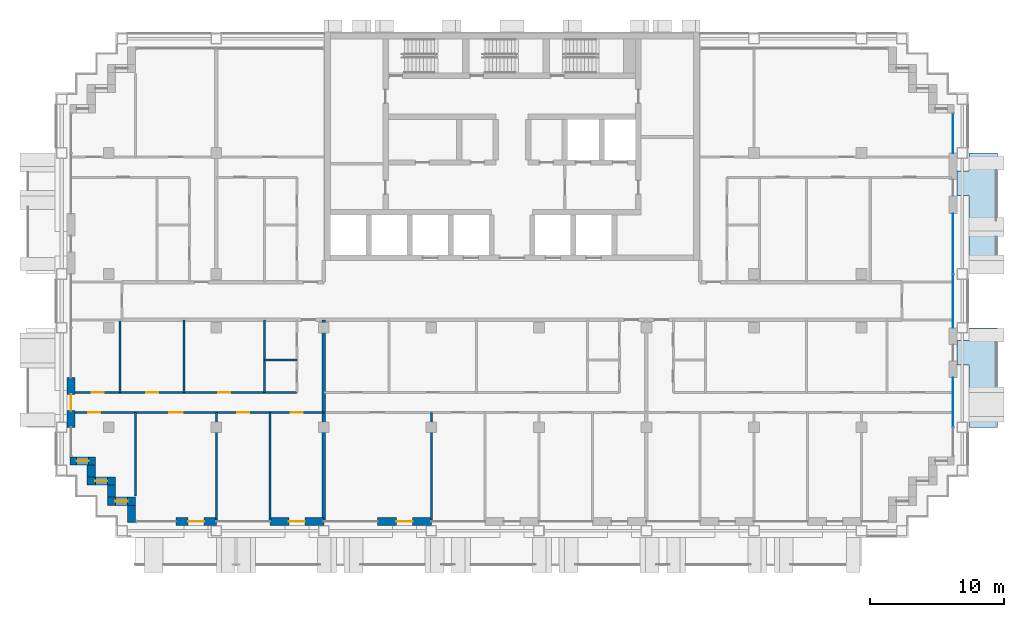
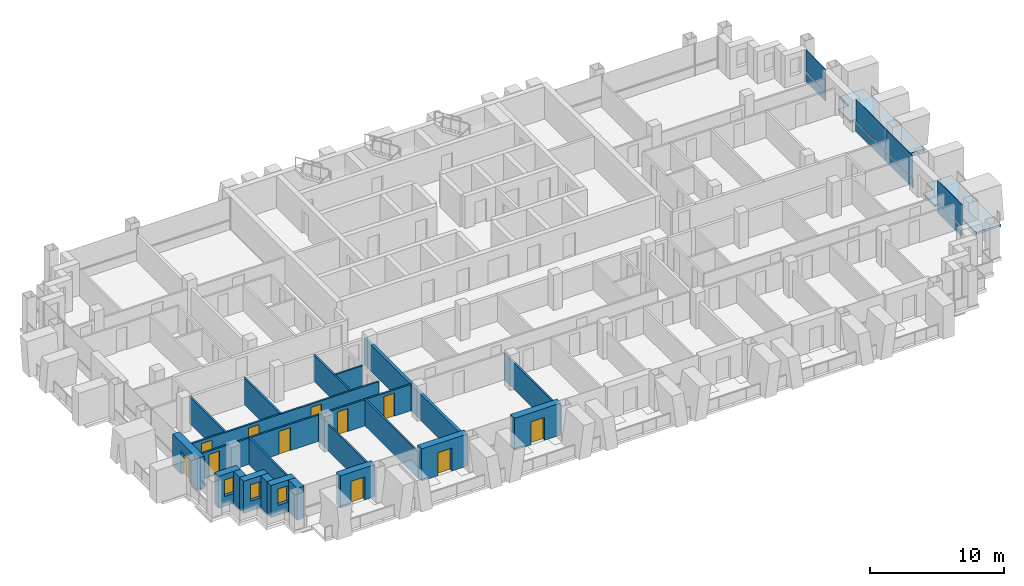
# One storey, part 7 of 18: 21 walls, 11 doors, 8 plates, 3 windows, 2 slabs, 14 openings, 3 elements without a shape of their own.
"""IFC4 building model written with IfcOpenShell, lengths in metres."""

import ifcopenshell
import ifcopenshell.guid

model = None  # the IFC model being written
_history = None  # IfcOwnerHistory: only IFC2X3 demands one
_inside = {}  # id of a spatial element -> (the spatial element, [elements in it])
_under = {}  # id of a project, library or spatial element -> (it, [spatial elements below it])
_declared = {}  # id of a project -> (the project, [libraries it declares])
_typed = {}  # id of a type object -> (the type object, [elements of that type])
_made_of = {}  # id of a material, layer set ... -> (it, [elements and type objects made of it])


def new_model(schema):
    """Start an empty IFC model of exactly this schema.

    Asked for "IFC4X3", IfcOpenShell would pick the latest addendum, in which some entities
    have other attributes; the version numbers below select the first issue.
    IFC2X3 requires an IfcOwnerHistory on every rooted entity: one is made here for all.
    """
    global model, _history
    if schema == "IFC4X3":
        model = ifcopenshell.file(schema_version=(4, 3, 0, 0))
    else:
        model = ifcopenshell.file(schema=schema)
    _inside.clear()
    _under.clear()
    _declared.clear()
    _typed.clear()
    _made_of.clear()
    _history = None
    if model.schema == "IFC2X3":
        org = make("IfcOrganization", Name="unknown")
        user = make(
            "IfcPersonAndOrganization",
            ThePerson=make("IfcPerson", FamilyName="unknown"),
            TheOrganization=org,
        )
        app = make(
            "IfcApplication",
            ApplicationDeveloper=org,
            Version="unknown",
            ApplicationFullName="unknown",
            ApplicationIdentifier="unknown",
        )
        _history = make(
            "IfcOwnerHistory",
            OwningUser=user,
            OwningApplication=app,
            ChangeAction="ADDED",
            CreationDate=0,
        )
    return model


def make(cls, **values):
    """One entity of the class cls with the attributes given. An attribute that is None is left unset."""
    return model.create_entity(
        cls, **{name: value for name, value in values.items() if value is not None}
    )


def rooted(cls, **values):
    """An entity with a GlobalId (a new one), such as an element, a storey or a relation."""
    return make(cls, GlobalId=ifcopenshell.guid.new(), OwnerHistory=_history, **values)


def si_unit(unit_type, name, prefix=None):
    """IfcSIUnit, for example si_unit("LENGTHUNIT", "METRE", prefix="MILLI")."""
    return make("IfcSIUnit", UnitType=unit_type, Prefix=prefix, Name=name)


def assignment(units):
    """IfcUnitAssignment: the units of a project."""
    return None if units is None else make("IfcUnitAssignment", Units=units)


def point(xyz):
    """IfcCartesianPoint."""
    return None if xyz is None else make("IfcCartesianPoint", Coordinates=xyz)


def direction(xyz):
    """IfcDirection."""
    return None if xyz is None else make("IfcDirection", DirectionRatios=xyz)


def frame(location, z_axis=None, x_axis=None):
    """IfcAxis2Placement3D, a coordinate frame: its origin and axes. An axis left out is left unset."""
    return make(
        "IfcAxis2Placement3D",
        Location=point(location),
        Axis=direction(z_axis),
        RefDirection=direction(x_axis),
    )


def frame_2d(location, x_axis=None):
    """IfcAxis2Placement2D, a coordinate frame in the plane: its origin and x axis."""
    return make(
        "IfcAxis2Placement2D", Location=point(location), RefDirection=direction(x_axis)
    )


def origin():
    """The frame at (0, 0, 0) with its axes left unset."""
    return frame((0.0, 0.0, 0.0))


def origin_2d():
    """The frame at (0, 0) in the plane with its x axis left unset."""
    return frame_2d((0.0, 0.0))


def place(relative_to, where):
    """IfcLocalPlacement: puts the frame where relative to a parent placement (None: the world)."""
    return make(
        "IfcLocalPlacement", PlacementRelTo=relative_to, RelativePlacement=where
    )


def context(
    kind, dimensions, precision=None, world=None, true_north=None, identifier=None
):
    """IfcGeometricRepresentationContext, for example the 3D "Model" context."""
    return make(
        "IfcGeometricRepresentationContext",
        ContextIdentifier=identifier,
        ContextType=kind,
        CoordinateSpaceDimension=dimensions,
        Precision=precision,
        WorldCoordinateSystem=world,
        TrueNorth=true_north,
    )


def subcontext(parent, identifier, kind, view, scale=None):
    """IfcGeometricRepresentationSubContext, for example "Body" below "Model"."""
    return make(
        "IfcGeometricRepresentationSubContext",
        ContextIdentifier=identifier,
        ContextType=kind,
        ParentContext=parent,
        TargetScale=scale,
        TargetView=view,
    )


def project(units=None, contexts=None):
    """IfcProject with its units and contexts."""
    return rooted(
        "IfcProject",
        Name="project",
        RepresentationContexts=contexts,
        UnitsInContext=assignment(units),
    )


def spatial(cls, under=None, at=None, **own):
    """A site, building, storey or space (cls), placed at a placement, below another one or the project."""
    s = rooted(cls, ObjectPlacement=at, **own)
    if under is not None:
        _under.setdefault(under.id(), (under, []))[1].append(s)
    return s


def polyline(points):
    """IfcPolyline through the points."""
    return make("IfcPolyline", Points=[point(p) for p in points])


def profile(cls, at=None, kind="AREA", **sizes):
    """A parametric profile (cls). Its sizes go by their IFC names, for example OverallWidth=200.0."""
    return make(cls, ProfileType=kind, Position=at, **sizes)


def rectangle(**sizes):
    """IfcRectangleProfileDef."""
    return profile("IfcRectangleProfileDef", **sizes)


def outline(outer, holes=None, kind="AREA"):
    """IfcArbitraryClosedProfileDef: a profile drawn as a closed curve; with holes, ...WithVoids."""
    if holes is None:
        return make("IfcArbitraryClosedProfileDef", ProfileType=kind, OuterCurve=outer)
    return make(
        "IfcArbitraryProfileDefWithVoids",
        ProfileType=kind,
        OuterCurve=outer,
        InnerCurves=holes,
    )


def extrude(swept, where, along, depth):
    """IfcExtrudedAreaSolid: the profile swept, set in the frame where, extruded along a direction by depth."""
    return make(
        "IfcExtrudedAreaSolid",
        SweptArea=swept,
        Position=where,
        ExtrudedDirection=direction(along),
        Depth=depth,
    )


def shape(context_of_items, identifier, shape_type, items):
    """IfcShapeRepresentation: the items that make up one representation, for example the "Body"."""
    return make(
        "IfcShapeRepresentation",
        ContextOfItems=context_of_items,
        RepresentationIdentifier=identifier,
        RepresentationType=shape_type,
        Items=items,
    )


def material(Name=None, Category=None):
    """IfcMaterial."""
    return make("IfcMaterial", Name=Name, Category=Category)


def layer(
    of_material, thickness, ventilated=None, Name=None, Category=None, Priority=None
):
    """IfcMaterialLayer: one layer of a wall or slab, of a material (None: an air gap)."""
    return make(
        "IfcMaterialLayer",
        Material=of_material,
        LayerThickness=thickness,
        IsVentilated=ventilated,
        Name=Name,
        Category=Category,
        Priority=Priority,
    )


def layer_set(layers, Name=None):
    """IfcMaterialLayerSet."""
    return make("IfcMaterialLayerSet", MaterialLayers=layers, LayerSetName=Name)


def made_of(thing, what):
    """Note that an element or type object is made of a material, layer set ...; save() writes the relation."""
    if what is not None:
        _made_of.setdefault(what.id(), (what, []))[1].append(thing)
    return thing


def type_object(cls, material=None, **own):
    """A type object (cls), such as IfcWallType, which elements share."""
    return made_of(rooted(cls, **own), material)


def element(
    cls,
    number,
    at=None,
    inside=None,
    cuts=None,
    type_object=None,
    material=None,
    context=None,
    identifier="Body",
    shape_type=None,
    held_by="IfcProductDefinitionShape",
    body=None,
    shapes=None,
    **own,
):
    """One element of the class cls, such as IfcWall. Its Tag is "e" and its number.

    at: its placement. inside: the storey or other place that contains it. cuts: it is an
    opening in that element (IfcRelVoidsElement). A single representation is given by context,
    identifier, shape_type and body (its items); several are given by shapes. held_by: the class
    of the entity that holds the representations. save() writes the other relations.
    """
    e = rooted(cls, Tag="e%d" % number, ObjectPlacement=at, **own)
    if body is not None:
        shapes = [shape(context, identifier, shape_type, body)]
    if shapes is not None:
        e.Representation = make(held_by, Representations=shapes)
    if inside is not None:
        _inside.setdefault(inside.id(), (inside, []))[1].append(e)
    if cuts is not None:
        rooted(
            "IfcRelVoidsElement", RelatingBuildingElement=cuts, RelatedOpeningElement=e
        )
    if type_object is not None:
        _typed.setdefault(type_object.id(), (type_object, []))[1].append(e)
    return made_of(e, material)


def fill(opening, filler):
    """IfcRelFillsElement: the door or window that sits in an opening."""
    return rooted(
        "IfcRelFillsElement",
        RelatingOpeningElement=opening,
        RelatedBuildingElement=filler,
    )


def aggregate(whole, parts):
    """IfcRelAggregates: a whole, such as a stair, and the parts it consists of."""
    return rooted("IfcRelAggregates", RelatingObject=whole, RelatedObjects=parts)


def save(model, path):
    """Write the relations noted so far, then the file.

    IfcRelAggregates (storeys below a building ...), IfcRelContainedInSpatialStructure (elements
    in a storey), IfcRelDefinesByType, IfcRelAssociatesMaterial and IfcRelDeclares: one each for
    every whole, place, type object, material and project.
    """
    for whole, parts in _under.values():
        aggregate(whole, parts)
    for where, things in _inside.values():
        rooted(
            "IfcRelContainedInSpatialStructure",
            RelatedElements=things,
            RelatingStructure=where,
        )
    for kind, things in _typed.values():
        rooted("IfcRelDefinesByType", RelatedObjects=things, RelatingType=kind)
    for what, things in _made_of.values():
        rooted("IfcRelAssociatesMaterial", RelatedObjects=things, RelatingMaterial=what)
    for by, libraries in _declared.values():
        rooted("IfcRelDeclares", RelatingContext=by, RelatedDefinitions=libraries)
    model.write(path)


model = new_model("IFC4")

# Units and contexts
model_context = context("Model", 3, precision=1e-05, world=origin(), true_north=direction((0.0, 1.0)))
body_context = subcontext(model_context, "Body", "Model", "MODEL_VIEW")
ifc_project = project(units=[si_unit("LENGTHUNIT", "METRE"), si_unit("AREAUNIT", "SQUARE_METRE"), si_unit("VOLUMEUNIT", "CUBIC_METRE"), si_unit("PLANEANGLEUNIT", "RADIAN"), si_unit("MASSUNIT", "GRAM", prefix="KILO")], contexts=[model_context])

# Site, building, storey
site_placement = place(None, origin())
site = spatial("IfcSite", under=ifc_project, at=site_placement, CompositionType="ELEMENT")
building_placement = place(site_placement, origin())
building = spatial("IfcBuilding", under=site, at=building_placement, Name="Vidyagriha Tower", CompositionType="ELEMENT")
storey_placement = place(building_placement, frame((0.0, 0.0, 142.199951171875)))
storey = spatial("IfcBuildingStorey", under=building, at=storey_placement, Name="L37", CompositionType="ELEMENT", Elevation=142.199951171875)

# Curtain wall, plate
ifc_material_1 = material(Name="Aluminium and glass curtain wall", Category="aluminium")
curtain_wall_type = type_object("IfcCurtainWallType", Name="Dwelling skin unitised curtain wall", PredefinedType="USERDEFINED", material=ifc_material_1)
curtain_wall_1_placement = place(storey_placement, origin())
curtain_wall_1 = element("IfcCurtainWall", 1, at=curtain_wall_1_placement, inside=storey, type_object=curtain_wall_type, Name="CW1 dwelling skin", ObjectType="UNITISED", PredefinedType="USERDEFINED")
ifc_material_2 = material(Name="Glass dark ceramic-fritted spandrel", Category="glass")
ifc_layer_1 = layer(ifc_material_2, 0.0400390625)
ifc_layer_set_1 = layer_set([ifc_layer_1], Name="Glass dark ceramic-fritted spandrel")
plate_type_1 = type_object("IfcPlateType", Name="Ceramic-fritted spandrel panel", PredefinedType="CURTAIN_PANEL", material=ifc_layer_set_1)
plate_1_placement = place(storey_placement, frame((32.800048828125, -7.532470703125, 0.0), z_axis=(0.0, 0.0, 1.0), x_axis=(0.0, 1.0, 0.0)))
plate_1 = element("IfcPlate", 2, at=plate_1_placement, type_object=plate_type_1, Name="CW1 panel 2.1", PredefinedType="CURTAIN_PANEL", context=body_context, shape_type="SweptSolid", body=[
    extrude(rectangle(XDim=3.6650390625, YDim=0.0400390625, at=origin_2d()), origin(), (0.0, 0.0, 1.0), 0.85009765625),
])

curtain_wall_2_placement = place(storey_placement, origin())
curtain_wall_2 = element("IfcCurtainWall", 3, at=curtain_wall_2_placement, inside=storey, type_object=curtain_wall_type, Name="CW1 dwelling skin", ObjectType="UNITISED", PredefinedType="USERDEFINED")
plate_2_placement = place(storey_placement, frame((32.800048828125, 12.465087890625, 0.0), z_axis=(0.0, 0.0, 1.0), x_axis=(0.0, 1.0, 0.0)))
plate_2 = element("IfcPlate", 4, at=plate_2_placement, type_object=plate_type_1, Name="CW1 panel 1.1", PredefinedType="CURTAIN_PANEL", context=body_context, shape_type="SweptSolid", body=[
    extrude(rectangle(XDim=2.929931640625, YDim=0.0400390625, at=origin_2d()), origin(), (0.0, 0.0, 1.0), 0.85009765625),
])

# Plate
ifc_material_3 = material(Name="Glass dark ceramic-fritted", Category="glass")
ifc_layer_2 = layer(ifc_material_3, 0.028076171875)
ifc_layer_set_2 = layer_set([ifc_layer_2], Name="Glass dark ceramic-fritted")
plate_type_2 = type_object("IfcPlateType", Name="Dark ceramic-fritted vision glass panel", PredefinedType="CURTAIN_PANEL", material=ifc_layer_set_2)
plate_3_placement = place(storey_placement, frame((32.800048828125, -7.532470703125, 0.9501953125), z_axis=(0.0, 0.0, 1.0), x_axis=(0.0, 1.0, 0.0)))
plate_3 = element("IfcPlate", 5, at=plate_3_placement, type_object=plate_type_2, Name="CW1 panel 2.2", PredefinedType="CURTAIN_PANEL", context=body_context, shape_type="SweptSolid", body=[
    extrude(rectangle(XDim=3.6650390625, YDim=0.028076171875, at=origin_2d()), origin(), (0.0, 0.0, 1.0), 1.969970703125),
])

aggregate(curtain_wall_1, [plate_1, plate_3])

# Curtain wall, plates
curtain_wall_3_placement = place(storey_placement, origin())
curtain_wall_3 = element("IfcCurtainWall", 6, at=curtain_wall_3_placement, inside=storey, type_object=curtain_wall_type, Name="CW1 dwelling skin", ObjectType="UNITISED", PredefinedType="USERDEFINED")
plate_4_placement = place(storey_placement, frame((32.800048828125, -0.017578125, 0.9501953125), z_axis=(0.0, 0.0, 1.0), x_axis=(0.0, 1.0, 0.0)))
plate_4 = element("IfcPlate", 7, at=plate_4_placement, type_object=plate_type_2, Name="CW1 panel 1.2", PredefinedType="CURTAIN_PANEL", context=body_context, shape_type="SweptSolid", body=[
    extrude(rectangle(XDim=3.965087890625, YDim=0.028076171875, at=origin_2d()), origin(), (0.0, 0.0, 1.0), 1.969970703125),
])
plate_5_placement = place(storey_placement, frame((32.800048828125, 4.267578125, 0.9501953125), z_axis=(0.0, 0.0, 1.0), x_axis=(0.0, 1.0, 0.0)))
plate_5 = element("IfcPlate", 8, at=plate_5_placement, type_object=plate_type_2, Name="CW1 panel 2.2", PredefinedType="CURTAIN_PANEL", context=body_context, shape_type="SweptSolid", body=[
    extrude(rectangle(XDim=4.465087890625, YDim=0.028076171875, at=origin_2d()), origin(), (0.0, 0.0, 1.0), 1.969970703125),
])

# Plate
plate_6_placement = place(storey_placement, frame((32.800048828125, 12.465087890625, 0.9501953125), z_axis=(0.0, 0.0, 1.0), x_axis=(0.0, 1.0, 0.0)))
plate_6 = element("IfcPlate", 9, at=plate_6_placement, type_object=plate_type_2, Name="CW1 panel 1.2", PredefinedType="CURTAIN_PANEL", context=body_context, shape_type="SweptSolid", body=[
    extrude(rectangle(XDim=2.929931640625, YDim=0.028076171875, at=origin_2d()), origin(), (0.0, 0.0, 1.0), 1.969970703125),
])

aggregate(curtain_wall_2, [plate_2, plate_6])

ifc_material_4 = material(Name="Aluminium black anodised", Category="aluminium")
ifc_layer_3 = layer(ifc_material_4, 0.06005859375)
ifc_layer_set_3 = layer_set([ifc_layer_3], Name="Aluminium black anodised")
plate_type_3 = type_object("IfcPlateType", Name="Operable black-metal vent panel", PredefinedType="CURTAIN_PANEL", material=ifc_layer_set_3)
plate_7_placement = place(storey_placement, frame((32.800048828125, -0.017578125, 0.0), z_axis=(0.0, 0.0, 1.0), x_axis=(0.0, 1.0, 0.0)))
plate_7 = element("IfcPlate", 10, at=plate_7_placement, type_object=plate_type_3, Name="CW1 panel 1.1", PredefinedType="CURTAIN_PANEL", context=body_context, shape_type="SweptSolid", body=[
    extrude(rectangle(XDim=3.965087890625, YDim=0.06005859375, at=origin_2d()), origin(), (0.0, 0.0, 1.0), 0.85009765625),
])

plate_8_placement = place(storey_placement, frame((32.800048828125, 4.267578125, 0.0), z_axis=(0.0, 0.0, 1.0), x_axis=(0.0, 1.0, 0.0)))
plate_8 = element("IfcPlate", 11, at=plate_8_placement, type_object=plate_type_3, Name="CW1 panel 2.1", PredefinedType="CURTAIN_PANEL", context=body_context, shape_type="SweptSolid", body=[
    extrude(rectangle(XDim=4.465087890625, YDim=0.06005859375, at=origin_2d()), origin(), (0.0, 0.0, 1.0), 0.85009765625),
])

aggregate(curtain_wall_3, [plate_7, plate_4, plate_8, plate_5])

# Slabs
ifc_material_5 = material(Name="Precast concrete C40/50", Category="concrete")
ifc_layer_4 = layer(ifc_material_5, 0.199951171875)
ifc_layer_set_4 = layer_set([ifc_layer_4], Name="Precast concrete C40/50")
slab_type = type_object("IfcSlabType", Name="Precast balcony slab 200", PredefinedType="USERDEFINED", material=ifc_layer_set_4)
slab_1_placement = place(storey_placement, frame((0.0, 0.0, -0.199951171875)))
element("IfcSlab", 12, at=slab_1_placement, inside=storey, type_object=slab_type, Name="Balcony slab L37 R30.1-1", ObjectType="BALCONY", PredefinedType="USERDEFINED", context=body_context, shape_type="SweptSolid", body=[
    extrude(outline(polyline([(34.0, -4.75), (34.0, -9.39990234375), (36.10009765625, -9.39990234375), (36.10009765625, -2.0), (34.0, -2.0), (34.0, -2.949951171875), (33.10009765625, -2.949951171875), (33.10009765625, -4.75), (34.0, -4.75)])), origin(), (0.0, 0.0, 1.0), 0.199951171875),
])
slab_2_placement = place(storey_placement, frame((0.0, 0.0, -0.199951171875)))
element("IfcSlab", 13, at=slab_2_placement, inside=storey, type_object=slab_type, Name="Balcony slab L37 R30.2-2", ObjectType="BALCONY", PredefinedType="USERDEFINED", context=body_context, shape_type="SweptSolid", body=[
    extrude(outline(polyline([(34.0, 7.85009765625), (34.0, 2.0), (36.10009765625, 2.0), (36.10009765625, 11.0), (34.0, 11.0), (34.0, 9.64990234375), (33.10009765625, 9.64990234375), (33.10009765625, 7.85009765625), (34.0, 7.85009765625)])), origin(), (0.0, 0.0, 1.0), 0.199951171875),
])

# Wall, opening, door
ifc_material_6 = material(Name="Precast concrete C40/50 with brick facing", Category="concrete")
ifc_layer_5 = layer(ifc_material_6, 0.60009765625)
ifc_layer_set_5 = layer_set([ifc_layer_5], Name="Precast concrete C40/50 with brick facing")
wall_type_1 = type_object("IfcWallType", Name="Brick-faced precast wall 600", PredefinedType="STANDARD", material=ifc_layer_set_5)
wall_1_placement = place(storey_placement, frame((-32.800048828125, -5.699951171875, 0.0), z_axis=(0.0, 0.0, 1.0), x_axis=(0.0, -1.0, 0.0)))
wall_1 = element("IfcWall", 14, at=wall_1_placement, inside=storey, type_object=wall_type_1, Name="Brick door bay wall L37 R16.6", PredefinedType="STANDARD", context=body_context, shape_type="SweptSolid", body=[
    extrude(rectangle(XDim=3.699951171875, YDim=0.60009765625, at=frame_2d((1.85009765625, 0.0))), origin(), (0.0, 0.0, 1.0), 2.920166015625),
])
opening_1_placement = place(wall_1_placement, frame((1.25, 0.0, 0.0)))
opening_1 = element("IfcOpeningElement", 15, at=opening_1_placement, cuts=wall_1, Name="Opening D37-67", PredefinedType="OPENING", context=body_context, shape_type="SweptSolid", body=[
    extrude(rectangle(XDim=1.199951171875, YDim=2.10009765625, at=frame_2d((0.60009765625, 1.050048828125))), frame((0.0, 0.31005859375, 0.0), z_axis=(0.0, -1.0, 0.0), x_axis=(1.0, 0.0, 0.0)), (0.0, 0.0, 1.0), 0.6201171875),
])
ifc_material_7 = material(Name="Aluminium framed glazed sliding door", Category="aluminium")
door_type_1 = type_object("IfcDoorType", Name="Balcony sliding door 1200x2100", OperationType="NOTDEFINED", PredefinedType="DOOR", material=ifc_material_7)
door_1_placement = place(opening_1_placement, origin())
door_1 = element("IfcDoor", 16, at=door_1_placement, inside=storey, type_object=door_type_1, Name="Door D37-67", OperationType="SLIDING_TO_LEFT", OverallHeight=2.10009765625, OverallWidth=1.199951171875, PredefinedType="DOOR", context=body_context, shape_type="SweptSolid", body=[
    extrude(rectangle(XDim=1.199951171875, YDim=2.10009765625, at=frame_2d((0.60009765625, 1.050048828125))), frame((0.0, 0.02490234375, 0.0), z_axis=(0.0, -1.0, 0.0), x_axis=(1.0, 0.0, 0.0)), (0.0, 0.0, 1.0), 0.050048828125),
])
fill(opening_1, door_1)

# Wall, opening, window
wall_2_placement = place(storey_placement, frame((-32.8798828125, -11.89990234375, 0.0)))
wall_2 = element("IfcWall", 17, at=wall_2_placement, inside=storey, type_object=wall_type_1, Name="Stepped corner wall L37 R17", PredefinedType="STANDARD", context=body_context, shape_type="SweptSolid", body=[
    extrude(rectangle(XDim=1.8798828125, YDim=0.60009765625, at=frame_2d((0.93994140625, 0.0))), origin(), (0.0, 0.0, 1.0), 2.920166015625),
])
opening_2_placement = place(wall_2_placement, frame((0.489990234375, 0.0, 0.89990234375)))
opening_2 = element("IfcOpeningElement", 18, at=opening_2_placement, cuts=wall_2, Name="Opening WN1", PredefinedType="OPENING", context=body_context, shape_type="SweptSolid", body=[
    extrude(rectangle(XDim=0.89990234375, YDim=1.5, at=frame_2d((0.449951171875, 0.75))), frame((0.0, 0.31005859375, 0.0), z_axis=(0.0, -1.0, 0.0), x_axis=(1.0, 0.0, 0.0)), (0.0, 0.0, 1.0), 0.6201171875),
])
ifc_material_8 = material(Name="Aluminium and glass window", Category="aluminium")
window_type = type_object("IfcWindowType", Name="Reveal window 900x1500", PartitioningType="NOTDEFINED", PredefinedType="WINDOW", material=ifc_material_8)
window_1_placement = place(opening_2_placement, origin())
window_1 = element("IfcWindow", 19, at=window_1_placement, inside=storey, type_object=window_type, Name="Reveal window L37 R17", OverallHeight=1.5, OverallWidth=0.89990234375, PartitioningType="SINGLE_PANEL", PredefinedType="WINDOW", context=body_context, shape_type="SweptSolid", body=[
    extrude(rectangle(XDim=0.89990234375, YDim=1.5, at=frame_2d((0.449951171875, 0.75))), frame((0.0, 0.030029296875, 0.0), z_axis=(0.0, -1.0, 0.0), x_axis=(1.0, 0.0, 0.0)), (0.0, 0.0, 1.0), 0.06005859375),
])
fill(opening_2, window_1)

# Wall
wall_3_placement = place(storey_placement, frame((-31.300048828125, -12.199951171875, 0.0), z_axis=(0.0, 0.0, 1.0), x_axis=(0.0, -1.0, 0.0)))
element("IfcWall", 20, at=wall_3_placement, inside=storey, type_object=wall_type_1, Name="Stepped corner wall L37 R18", PredefinedType="STANDARD", context=body_context, shape_type="SweptSolid", body=[
    extrude(rectangle(XDim=0.900146484375, YDim=0.60009765625, at=frame_2d((0.4501953125, 0.0))), origin(), (0.0, 0.0, 1.0), 2.920166015625),
])

# Wall, opening, window
wall_4_placement = place(storey_placement, frame((-31.60009765625, -13.39990234375, 0.0)))
wall_4 = element("IfcWall", 21, at=wall_4_placement, inside=storey, type_object=wall_type_1, Name="Stepped corner wall L37 R19", PredefinedType="STANDARD", context=body_context, shape_type="SweptSolid", body=[
    extrude(rectangle(XDim=2.10009765625, YDim=0.60009765625, at=frame_2d((1.050048828125, 0.0))), origin(), (0.0, 0.0, 1.0), 2.920166015625),
])
opening_3_placement = place(wall_4_placement, frame((0.60009765625, 0.0, 0.89990234375)))
opening_3 = element("IfcOpeningElement", 22, at=opening_3_placement, cuts=wall_4, Name="Opening WN1", PredefinedType="OPENING", context=body_context, shape_type="SweptSolid", body=[
    extrude(rectangle(XDim=0.89990234375, YDim=1.5, at=frame_2d((0.449951171875, 0.75))), frame((0.0, 0.31005859375, 0.0), z_axis=(0.0, -1.0, 0.0), x_axis=(1.0, 0.0, 0.0)), (0.0, 0.0, 1.0), 0.6201171875),
])
window_2_placement = place(opening_3_placement, origin())
window_2 = element("IfcWindow", 23, at=window_2_placement, inside=storey, type_object=window_type, Name="Reveal window L37 R19", OverallHeight=1.5, OverallWidth=0.89990234375, PartitioningType="SINGLE_PANEL", PredefinedType="WINDOW", context=body_context, shape_type="SweptSolid", body=[
    extrude(rectangle(XDim=0.89990234375, YDim=1.5, at=frame_2d((0.449951171875, 0.75))), frame((0.0, 0.030029296875, 0.0), z_axis=(0.0, -1.0, 0.0), x_axis=(1.0, 0.0, 0.0)), (0.0, 0.0, 1.0), 0.06005859375),
])
fill(opening_3, window_2)

# Wall
wall_5_placement = place(storey_placement, frame((-29.800048828125, -13.699951171875, 0.0), z_axis=(0.0, 0.0, 1.0), x_axis=(0.0, -1.0, 0.0)))
element("IfcWall", 24, at=wall_5_placement, inside=storey, type_object=wall_type_1, Name="Stepped corner wall L37 R20", PredefinedType="STANDARD", context=body_context, shape_type="SweptSolid", body=[
    extrude(rectangle(XDim=0.900146484375, YDim=0.60009765625, at=frame_2d((0.4501953125, 0.0))), origin(), (0.0, 0.0, 1.0), 2.920166015625),
])

# Wall, opening, window
wall_6_placement = place(storey_placement, frame((-30.10009765625, -14.89990234375, 0.0)))
wall_6 = element("IfcWall", 25, at=wall_6_placement, inside=storey, type_object=wall_type_1, Name="Stepped corner wall L37 R21", PredefinedType="STANDARD", context=body_context, shape_type="SweptSolid", body=[
    extrude(rectangle(XDim=2.10009765625, YDim=0.60009765625, at=frame_2d((1.050048828125, 0.0))), origin(), (0.0, 0.0, 1.0), 2.920166015625),
])
opening_4_placement = place(wall_6_placement, frame((0.60009765625, 0.0, 0.89990234375)))
opening_4 = element("IfcOpeningElement", 26, at=opening_4_placement, cuts=wall_6, Name="Opening WN1", PredefinedType="OPENING", context=body_context, shape_type="SweptSolid", body=[
    extrude(rectangle(XDim=0.89990234375, YDim=1.5, at=frame_2d((0.449951171875, 0.75))), frame((0.0, 0.31005859375, 0.0), z_axis=(0.0, -1.0, 0.0), x_axis=(1.0, 0.0, 0.0)), (0.0, 0.0, 1.0), 0.6201171875),
])
window_3_placement = place(opening_4_placement, origin())
window_3 = element("IfcWindow", 27, at=window_3_placement, inside=storey, type_object=window_type, Name="Reveal window L37 R21", OverallHeight=1.5, OverallWidth=0.89990234375, PartitioningType="SINGLE_PANEL", PredefinedType="WINDOW", context=body_context, shape_type="SweptSolid", body=[
    extrude(rectangle(XDim=0.89990234375, YDim=1.5, at=frame_2d((0.449951171875, 0.75))), frame((0.0, 0.030029296875, 0.0), z_axis=(0.0, -1.0, 0.0), x_axis=(1.0, 0.0, 0.0)), (0.0, 0.0, 1.0), 0.06005859375),
])
fill(opening_4, window_3)

# Wall
wall_7_placement = place(storey_placement, frame((-28.300048828125, -15.199951171875, 0.0), z_axis=(0.0, 0.0, 1.0), x_axis=(0.0, -1.0, 0.0)))
element("IfcWall", 28, at=wall_7_placement, inside=storey, type_object=wall_type_1, Name="Stepped corner wall L37 R22", PredefinedType="STANDARD", context=body_context, shape_type="SweptSolid", body=[
    extrude(rectangle(XDim=1.280029296875, YDim=0.60009765625, at=frame_2d((0.64013671875, 0.0))), origin(), (0.0, 0.0, 1.0), 2.920166015625),
])

# Wall, opening, door
wall_8_placement = place(storey_placement, frame((-25.0, -16.39990234375, 0.0)))
wall_8 = element("IfcWall", 29, at=wall_8_placement, inside=storey, type_object=wall_type_1, Name="Brick door bay wall L37 R23.2", PredefinedType="STANDARD", context=body_context, shape_type="SweptSolid", body=[
    extrude(rectangle(XDim=3.0, YDim=0.60009765625, at=frame_2d((1.5, 0.0))), origin(), (0.0, 0.0, 1.0), 2.920166015625),
])
opening_5_placement = place(wall_8_placement, frame((0.89990234375, 0.0, 0.0)))
opening_5 = element("IfcOpeningElement", 30, at=opening_5_placement, cuts=wall_8, Name="Opening D37-68", PredefinedType="OPENING", context=body_context, shape_type="SweptSolid", body=[
    extrude(rectangle(XDim=1.199951171875, YDim=2.10009765625, at=frame_2d((0.60009765625, 1.050048828125))), frame((0.0, 0.31005859375, 0.0), z_axis=(0.0, -1.0, 0.0), x_axis=(1.0, 0.0, 0.0)), (0.0, 0.0, 1.0), 0.6201171875),
])
door_2_placement = place(opening_5_placement, origin())
door_2 = element("IfcDoor", 31, at=door_2_placement, inside=storey, type_object=door_type_1, Name="Door D37-68", OperationType="SLIDING_TO_LEFT", OverallHeight=2.10009765625, OverallWidth=1.199951171875, PredefinedType="DOOR", context=body_context, shape_type="SweptSolid", body=[
    extrude(rectangle(XDim=1.199951171875, YDim=2.10009765625, at=frame_2d((0.60009765625, 1.050048828125))), frame((0.0, 0.02490234375, 0.0), z_axis=(0.0, -1.0, 0.0), x_axis=(1.0, 0.0, 0.0)), (0.0, 0.0, 1.0), 0.050048828125),
])
fill(opening_5, door_2)

wall_9_placement = place(storey_placement, frame((-18.0, -16.39990234375, 0.0)))
wall_9 = element("IfcWall", 32, at=wall_9_placement, inside=storey, type_object=wall_type_1, Name="Brick door bay wall L37 R23.4", PredefinedType="STANDARD", context=body_context, shape_type="SweptSolid", body=[
    extrude(rectangle(XDim=4.0, YDim=0.60009765625, at=frame_2d((2.0, 0.0))), origin(), (0.0, 0.0, 1.0), 2.920166015625),
])
opening_6_placement = place(wall_9_placement, frame((1.39990234375, 0.0, 0.0)))
opening_6 = element("IfcOpeningElement", 33, at=opening_6_placement, cuts=wall_9, Name="Opening D37-69", PredefinedType="OPENING", context=body_context, shape_type="SweptSolid", body=[
    extrude(rectangle(XDim=1.199951171875, YDim=2.10009765625, at=frame_2d((0.60009765625, 1.050048828125))), frame((0.0, 0.31005859375, 0.0), z_axis=(0.0, -1.0, 0.0), x_axis=(1.0, 0.0, 0.0)), (0.0, 0.0, 1.0), 0.6201171875),
])
door_3_placement = place(opening_6_placement, origin())
door_3 = element("IfcDoor", 34, at=door_3_placement, inside=storey, type_object=door_type_1, Name="Door D37-69", OperationType="SLIDING_TO_LEFT", OverallHeight=2.10009765625, OverallWidth=1.199951171875, PredefinedType="DOOR", context=body_context, shape_type="SweptSolid", body=[
    extrude(rectangle(XDim=1.199951171875, YDim=2.10009765625, at=frame_2d((0.60009765625, 1.050048828125))), frame((0.0, 0.02490234375, 0.0), z_axis=(0.0, -1.0, 0.0), x_axis=(1.0, 0.0, 0.0)), (0.0, 0.0, 1.0), 0.050048828125),
])
fill(opening_6, door_3)

wall_10_placement = place(storey_placement, frame((-10.0, -16.39990234375, 0.0)))
wall_10 = element("IfcWall", 35, at=wall_10_placement, inside=storey, type_object=wall_type_1, Name="Brick door bay wall L37 R23.6", PredefinedType="STANDARD", context=body_context, shape_type="SweptSolid", body=[
    extrude(rectangle(XDim=4.0, YDim=0.60009765625, at=frame_2d((2.0, 0.0))), origin(), (0.0, 0.0, 1.0), 2.920166015625),
])
opening_7_placement = place(wall_10_placement, frame((1.39990234375, 0.0, 0.0)))
opening_7 = element("IfcOpeningElement", 36, at=opening_7_placement, cuts=wall_10, Name="Opening D37-70", PredefinedType="OPENING", context=body_context, shape_type="SweptSolid", body=[
    extrude(rectangle(XDim=1.199951171875, YDim=2.10009765625, at=frame_2d((0.60009765625, 1.050048828125))), frame((0.0, 0.31005859375, 0.0), z_axis=(0.0, -1.0, 0.0), x_axis=(1.0, 0.0, 0.0)), (0.0, 0.0, 1.0), 0.6201171875),
])
door_4_placement = place(opening_7_placement, origin())
door_4 = element("IfcDoor", 37, at=door_4_placement, inside=storey, type_object=door_type_1, Name="Door D37-70", OperationType="SLIDING_TO_LEFT", OverallHeight=2.10009765625, OverallWidth=1.199951171875, PredefinedType="DOOR", context=body_context, shape_type="SweptSolid", body=[
    extrude(rectangle(XDim=1.199951171875, YDim=2.10009765625, at=frame_2d((0.60009765625, 1.050048828125))), frame((0.0, 0.02490234375, 0.0), z_axis=(0.0, -1.0, 0.0), x_axis=(1.0, 0.0, 0.0)), (0.0, 0.0, 1.0), 0.050048828125),
])
fill(opening_7, door_4)

# Walls
ifc_material_9 = material(Name="Fired clay brick masonry", Category="masonry")
ifc_layer_6 = layer(ifc_material_9, 0.25)
ifc_layer_set_6 = layer_set([ifc_layer_6], Name="Fired clay brick masonry")
wall_type_2 = type_object("IfcWallType", Name="Fired clay brick demising wall 250", PredefinedType="PARTITIONING", material=ifc_layer_set_6)
wall_11_placement = place(storey_placement, frame((-14.0, -1.39990234375, 0.0), z_axis=(0.0, 0.0, 1.0), x_axis=(0.0, -1.0, 0.0)))
element("IfcWall", 38, at=wall_11_placement, inside=storey, type_object=wall_type_2, Name="Wall all-L37-w043", PredefinedType="PARTITIONING", context=body_context, shape_type="SweptSolid", body=[
    extrude(rectangle(XDim=14.91015625, YDim=0.25, at=frame_2d((7.455078125, 0.0))), origin(), (0.0, 0.0, 1.0), 2.400146484375),
])
ifc_material_10 = material(Name="Gypsum board partition")
ifc_layer_7 = layer(ifc_material_10, 0.14990234375)
ifc_layer_set_7 = layer_set([ifc_layer_7], Name="Gypsum board partition")
wall_type_3 = type_object("IfcWallType", Name="Gypsum board partition 150", PredefinedType="PARTITIONING", material=ifc_layer_set_7)
wall_12_placement = place(storey_placement, frame((-16.0, -4.39990234375, 0.0), z_axis=(0.0, 0.0, 1.0), x_axis=(-1.0, 0.0, 0.0)))
element("IfcWall", 39, at=wall_12_placement, inside=storey, type_object=wall_type_3, Name="Wall all-L37-w004", PredefinedType="PARTITIONING", context=body_context, shape_type="SweptSolid", body=[
    extrude(rectangle(XDim=2.39990234375, YDim=0.14990234375, at=frame_2d((1.199951171875, 0.0))), origin(), (0.0, 0.0, 1.0), 2.400146484375),
])
for number, where, z_axis, x_axis, name in (
    (40, (-18.39990234375, -6.800048828125, 0.0), (0.0, 0.0, 1.0), (0.0, 1.0, 0.0), "Wall all-L37-w005"),
    (41, (-24.39990234375, -6.800048828125, 0.0), (0.0, 0.0, 1.0), (0.0, 1.0, 0.0), "Wall all-L37-w006"),
    (42, (-29.14990234375, -6.800048828125, 0.0), (0.0, 0.0, 1.0), (0.0, 1.0, 0.0), "Wall all-L37-w007"),
):
    element("IfcWall", number, at=place(storey_placement, frame(where, z_axis=z_axis, x_axis=x_axis)), inside=storey, type_object=wall_type_3, Name=name, PredefinedType="PARTITIONING", context=body_context, shape_type="SweptSolid", body=[
        extrude(rectangle(XDim=5.400146484375, YDim=0.14990234375, at=frame_2d((2.7001953125, 0.0))), origin(), (0.0, 0.0, 1.0), 2.400146484375),
    ])

# Wall, openings, doors
wall_13_placement = place(storey_placement, frame((-32.7099609375, -6.800048828125, 0.0)))
wall_13 = element("IfcWall", 43, at=wall_13_placement, inside=storey, type_object=wall_type_3, Name="Wall all-L37-w008", PredefinedType="PARTITIONING", context=body_context, shape_type="SweptSolid", body=[
    extrude(rectangle(XDim=16.7099609375, YDim=0.14990234375, at=frame_2d((8.35498046875, 0.0))), origin(), (0.0, 0.0, 1.0), 2.400146484375),
])
opening_8_placement = place(wall_13_placement, frame((10.860107421875, 0.0, 0.0)))
opening_8 = element("IfcOpeningElement", 44, at=opening_8_placement, cuts=wall_13, Name="Opening D37-15", PredefinedType="OPENING", context=body_context, shape_type="SweptSolid", body=[
    extrude(rectangle(XDim=0.89990234375, YDim=2.10009765625, at=frame_2d((0.449951171875, 1.050048828125))), frame((0.0, 0.0849609375, 0.0), z_axis=(0.0, -1.0, 0.0), x_axis=(1.0, 0.0, 0.0)), (0.0, 0.0, 1.0), 0.169921875),
])
opening_9_placement = place(wall_13_placement, frame((5.485107421875, 0.0, 0.0)))
opening_9 = element("IfcOpeningElement", 45, at=opening_9_placement, cuts=wall_13, Name="Opening D37-16", PredefinedType="OPENING", context=body_context, shape_type="SweptSolid", body=[
    extrude(rectangle(XDim=0.89990234375, YDim=2.10009765625, at=frame_2d((0.449951171875, 1.050048828125))), frame((0.0, 0.0849609375, 0.0), z_axis=(0.0, -1.0, 0.0), x_axis=(1.0, 0.0, 0.0)), (0.0, 0.0, 1.0), 0.169921875),
])
opening_10_placement = place(wall_13_placement, frame((1.43505859375, 0.0, 0.0)))
opening_10 = element("IfcOpeningElement", 46, at=opening_10_placement, cuts=wall_13, Name="Opening D37-17", PredefinedType="OPENING", context=body_context, shape_type="SweptSolid", body=[
    extrude(rectangle(XDim=0.89990234375, YDim=2.10009765625, at=frame_2d((0.449951171875, 1.050048828125))), frame((0.0, 0.0849609375, 0.0), z_axis=(0.0, -1.0, 0.0), x_axis=(1.0, 0.0, 0.0)), (0.0, 0.0, 1.0), 0.169921875),
])
ifc_material_11 = material(Name="Timber door leaf", Category="wood")
door_type_2 = type_object("IfcDoorType", Name="Room door 900x2100", OperationType="NOTDEFINED", PredefinedType="DOOR", material=ifc_material_11)
door_5_placement = place(opening_8_placement, origin())
door_5 = element("IfcDoor", 47, at=door_5_placement, inside=storey, type_object=door_type_2, Name="Door D37-15", OperationType="SINGLE_SWING_RIGHT", OverallHeight=2.10009765625, OverallWidth=0.89990234375, PredefinedType="DOOR", context=body_context, shape_type="SweptSolid", body=[
    extrude(rectangle(XDim=0.89990234375, YDim=2.10009765625, at=frame_2d((0.449951171875, 1.050048828125))), frame((0.0, 0.02490234375, 0.0), z_axis=(0.0, -1.0, 0.0), x_axis=(1.0, 0.0, 0.0)), (0.0, 0.0, 1.0), 0.050048828125),
])
fill(opening_8, door_5)
door_6_placement = place(opening_9_placement, origin())
door_6 = element("IfcDoor", 48, at=door_6_placement, inside=storey, type_object=door_type_2, Name="Door D37-16", OperationType="SINGLE_SWING_RIGHT", OverallHeight=2.10009765625, OverallWidth=0.89990234375, PredefinedType="DOOR", context=body_context, shape_type="SweptSolid", body=[
    extrude(rectangle(XDim=0.89990234375, YDim=2.10009765625, at=frame_2d((0.449951171875, 1.050048828125))), frame((0.0, 0.02490234375, 0.0), z_axis=(0.0, -1.0, 0.0), x_axis=(1.0, 0.0, 0.0)), (0.0, 0.0, 1.0), 0.050048828125),
])
fill(opening_9, door_6)
door_7_placement = place(opening_10_placement, origin())
door_7 = element("IfcDoor", 49, at=door_7_placement, inside=storey, type_object=door_type_2, Name="Door D37-17", OperationType="SINGLE_SWING_RIGHT", OverallHeight=2.10009765625, OverallWidth=0.89990234375, PredefinedType="DOOR", context=body_context, shape_type="SweptSolid", body=[
    extrude(rectangle(XDim=0.89990234375, YDim=2.10009765625, at=frame_2d((0.449951171875, 1.050048828125))), frame((0.0, 0.02490234375, 0.0), z_axis=(0.0, -1.0, 0.0), x_axis=(1.0, 0.0, 0.0)), (0.0, 0.0, 1.0), 0.050048828125),
])
fill(opening_10, door_7)

wall_14_placement = place(storey_placement, frame((-14.0, -8.300048828125, 0.0), z_axis=(0.0, 0.0, 1.0), x_axis=(-1.0, 0.0, 0.0)))
wall_14 = element("IfcWall", 50, at=wall_14_placement, inside=storey, type_object=wall_type_3, Name="Wall all-L37-w012", PredefinedType="PARTITIONING", context=body_context, shape_type="SweptSolid", body=[
    extrude(rectangle(XDim=18.7099609375, YDim=0.14990234375, at=frame_2d((9.35498046875, 0.0))), origin(), (0.0, 0.0, 1.0), 2.400146484375),
])
opening_11_placement = place(wall_14_placement, frame((16.617919921875, 0.0, 0.0)))
opening_11 = element("IfcOpeningElement", 51, at=opening_11_placement, cuts=wall_14, Name="Opening D37-18", PredefinedType="OPENING", context=body_context, shape_type="SweptSolid", body=[
    extrude(rectangle(XDim=0.89990234375, YDim=2.10009765625, at=frame_2d((0.449951171875, 1.050048828125))), frame((0.0, 0.0849609375, 0.0), z_axis=(0.0, -1.0, 0.0), x_axis=(1.0, 0.0, 0.0)), (0.0, 0.0, 1.0), 0.169921875),
])
opening_12_placement = place(wall_14_placement, frame((10.5, 0.0, 0.0)))
opening_12 = element("IfcOpeningElement", 52, at=opening_12_placement, cuts=wall_14, Name="Opening D37-19", PredefinedType="OPENING", context=body_context, shape_type="SweptSolid", body=[
    extrude(rectangle(XDim=1.0, YDim=2.10009765625, at=frame_2d((0.5, 1.050048828125))), frame((0.0, 0.0849609375, 0.0), z_axis=(0.0, -1.0, 0.0), x_axis=(1.0, 0.0, 0.0)), (0.0, 0.0, 1.0), 0.169921875),
])
opening_13_placement = place(wall_14_placement, frame((5.550048828125, 0.0, 0.0)))
opening_13 = element("IfcOpeningElement", 53, at=opening_13_placement, cuts=wall_14, Name="Opening D37-20", PredefinedType="OPENING", context=body_context, shape_type="SweptSolid", body=[
    extrude(rectangle(XDim=0.89990234375, YDim=2.10009765625, at=frame_2d((0.449951171875, 1.050048828125))), frame((0.0, 0.0849609375, 0.0), z_axis=(0.0, -1.0, 0.0), x_axis=(1.0, 0.0, 0.0)), (0.0, 0.0, 1.0), 0.169921875),
])
opening_14_placement = place(wall_14_placement, frame((1.550048828125, 0.0, 0.0)))
opening_14 = element("IfcOpeningElement", 54, at=opening_14_placement, cuts=wall_14, Name="Opening D37-21", PredefinedType="OPENING", context=body_context, shape_type="SweptSolid", body=[
    extrude(rectangle(XDim=0.89990234375, YDim=2.10009765625, at=frame_2d((0.449951171875, 1.050048828125))), frame((0.0, 0.0849609375, 0.0), z_axis=(0.0, -1.0, 0.0), x_axis=(1.0, 0.0, 0.0)), (0.0, 0.0, 1.0), 0.169921875),
])
ifc_material_12 = material(Name="Timber door leaf", Category="wood")
door_type_3 = type_object("IfcDoorType", Name="Room door 1000x2100", OperationType="NOTDEFINED", PredefinedType="DOOR", material=ifc_material_12)
door_8_placement = place(opening_12_placement, origin())
door_8 = element("IfcDoor", 55, at=door_8_placement, inside=storey, type_object=door_type_3, Name="Door D37-19", OperationType="SINGLE_SWING_RIGHT", OverallHeight=2.10009765625, OverallWidth=1.0, PredefinedType="DOOR", context=body_context, shape_type="SweptSolid", body=[
    extrude(rectangle(XDim=1.0, YDim=2.10009765625, at=frame_2d((0.5, 1.050048828125))), frame((0.0, 0.02490234375, 0.0), z_axis=(0.0, -1.0, 0.0), x_axis=(1.0, 0.0, 0.0)), (0.0, 0.0, 1.0), 0.050048828125),
])
fill(opening_12, door_8)
door_9_placement = place(opening_11_placement, origin())
door_9 = element("IfcDoor", 56, at=door_9_placement, inside=storey, type_object=door_type_2, Name="Door D37-18", OperationType="SINGLE_SWING_RIGHT", OverallHeight=2.10009765625, OverallWidth=0.89990234375, PredefinedType="DOOR", context=body_context, shape_type="SweptSolid", body=[
    extrude(rectangle(XDim=0.89990234375, YDim=2.10009765625, at=frame_2d((0.449951171875, 1.050048828125))), frame((0.0, 0.02490234375, 0.0), z_axis=(0.0, -1.0, 0.0), x_axis=(1.0, 0.0, 0.0)), (0.0, 0.0, 1.0), 0.050048828125),
])
fill(opening_11, door_9)
door_10_placement = place(opening_13_placement, origin())
door_10 = element("IfcDoor", 57, at=door_10_placement, inside=storey, type_object=door_type_2, Name="Door D37-20", OperationType="SINGLE_SWING_RIGHT", OverallHeight=2.10009765625, OverallWidth=0.89990234375, PredefinedType="DOOR", context=body_context, shape_type="SweptSolid", body=[
    extrude(rectangle(XDim=0.89990234375, YDim=2.10009765625, at=frame_2d((0.449951171875, 1.050048828125))), frame((0.0, 0.02490234375, 0.0), z_axis=(0.0, -1.0, 0.0), x_axis=(1.0, 0.0, 0.0)), (0.0, 0.0, 1.0), 0.050048828125),
])
fill(opening_13, door_10)
door_11_placement = place(opening_14_placement, origin())
door_11 = element("IfcDoor", 58, at=door_11_placement, inside=storey, type_object=door_type_2, Name="Door D37-21", OperationType="SINGLE_SWING_RIGHT", OverallHeight=2.10009765625, OverallWidth=0.89990234375, PredefinedType="DOOR", context=body_context, shape_type="SweptSolid", body=[
    extrude(rectangle(XDim=0.89990234375, YDim=2.10009765625, at=frame_2d((0.449951171875, 1.050048828125))), frame((0.0, 0.02490234375, 0.0), z_axis=(0.0, -1.0, 0.0), x_axis=(1.0, 0.0, 0.0)), (0.0, 0.0, 1.0), 0.050048828125),
])
fill(opening_14, door_11)

# Walls
wall_15_placement = place(storey_placement, frame((-28.0, -8.300048828125, 0.0), z_axis=(0.0, 0.0, 1.0), x_axis=(0.0, -1.0, 0.0)))
element("IfcWall", 59, at=wall_15_placement, inside=storey, type_object=wall_type_3, Name="Wall all-L37-w017", PredefinedType="PARTITIONING", context=body_context, shape_type="SweptSolid", body=[
    extrude(rectangle(XDim=6.219970703125, YDim=0.14990234375, at=frame_2d((3.10986328125, 0.0))), origin(), (0.0, 0.0, 1.0), 2.400146484375),
])
wall_16_placement = place(storey_placement, frame((-22.0, -8.300048828125, 0.0), z_axis=(0.0, 0.0, 1.0), x_axis=(0.0, -1.0, 0.0)))
element("IfcWall", 60, at=wall_16_placement, inside=storey, type_object=wall_type_3, Name="Wall all-L37-w018", PredefinedType="PARTITIONING", context=body_context, shape_type="SweptSolid", body=[
    extrude(rectangle(XDim=8.010009765625, YDim=0.14990234375, at=frame_2d((4.0048828125, 0.0))), origin(), (0.0, 0.0, 1.0), 2.400146484375),
])
wall_17_placement = place(storey_placement, frame((-18.0, -8.300048828125, 0.0), z_axis=(0.0, 0.0, 1.0), x_axis=(0.0, -1.0, 0.0)))
element("IfcWall", 61, at=wall_17_placement, inside=storey, type_object=wall_type_3, Name="Wall all-L37-w019", PredefinedType="PARTITIONING", context=body_context, shape_type="SweptSolid", body=[
    extrude(rectangle(XDim=8.02099609375, YDim=0.14990234375, at=frame_2d((4.010498046875, 0.0))), origin(), (0.0, 0.0, 1.0), 2.400146484375),
])
wall_18_placement = place(storey_placement, frame((-6.0, -8.300048828125, 0.0), z_axis=(0.0, 0.0, 1.0), x_axis=(0.0, -1.0, 0.0)))
element("IfcWall", 62, at=wall_18_placement, inside=storey, type_object=wall_type_3, Name="Wall all-L37-w038", PredefinedType="PARTITIONING", context=body_context, shape_type="SweptSolid", body=[
    extrude(rectangle(XDim=8.010009765625, YDim=0.14990234375, at=frame_2d((4.0048828125, 0.0))), origin(), (0.0, 0.0, 1.0), 2.400146484375),
])

save(model, "model.ifc")
